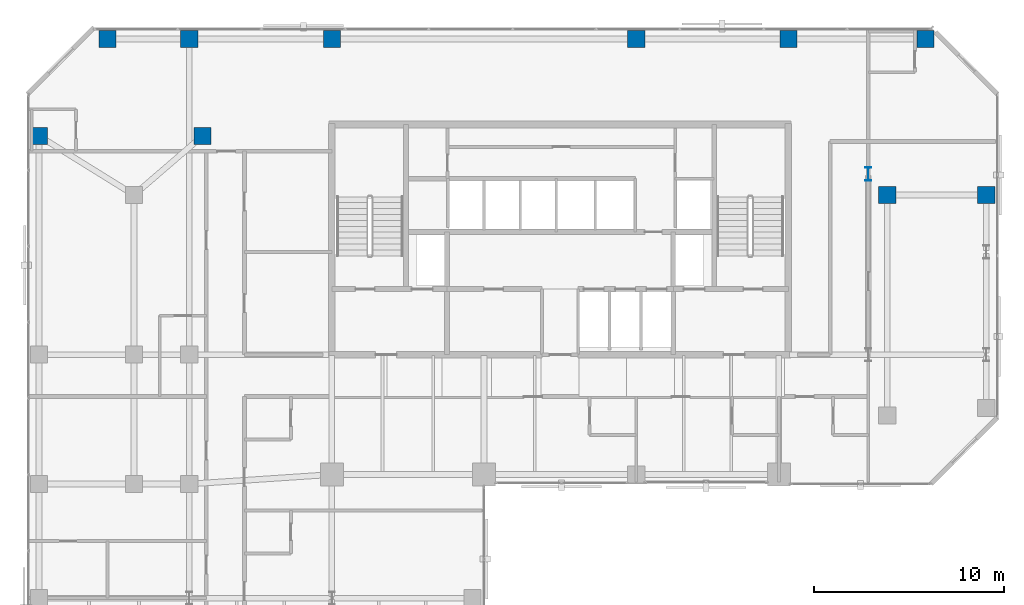
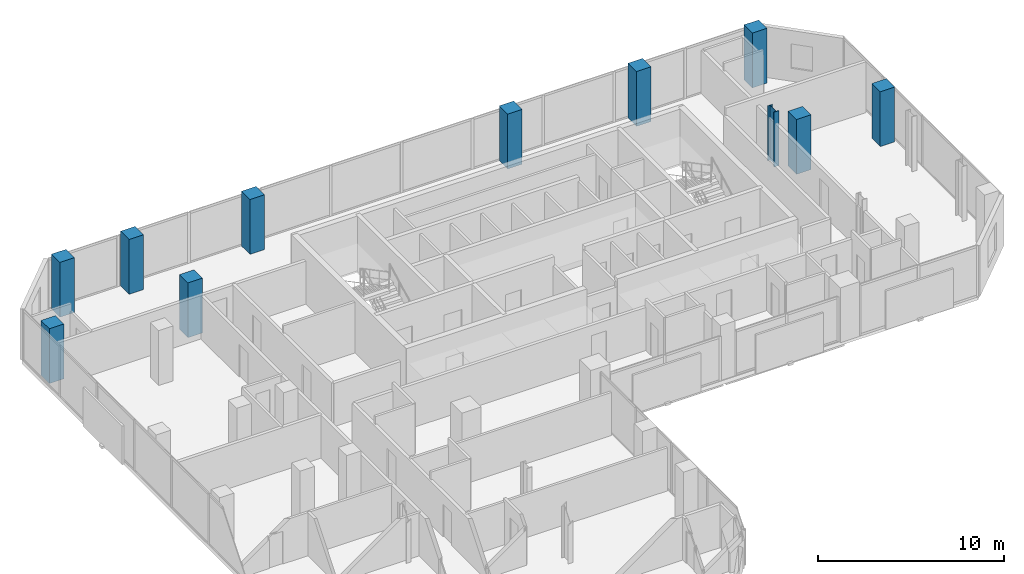
# One storey, part 2 of 34: 11 columns.
"""IFC4 building model written with IfcOpenShell, lengths in metres."""

from ifc_helpers import new_model, si_unit, direction, frame, origin, origin_2d, place, context, subcontext, project, spatial, rectangle, i_section, extrude, material, material_profile, profile_set, type_object, element, save


model = new_model("IFC4")

# Units and contexts
model_context = context("Model", 3, precision=1e-05, world=origin(), true_north=direction((0.0, 1.0)))
body_context = subcontext(model_context, "Body", "Model", "MODEL_VIEW")
ifc_project = project(units=[si_unit("LENGTHUNIT", "METRE"), si_unit("AREAUNIT", "SQUARE_METRE"), si_unit("VOLUMEUNIT", "CUBIC_METRE"), si_unit("PLANEANGLEUNIT", "RADIAN"), si_unit("MASSUNIT", "GRAM", prefix="KILO")], contexts=[model_context])

# Site, building, storey
site_placement = place(None, origin())
site = spatial("IfcSite", under=ifc_project, at=site_placement, CompositionType="ELEMENT")
building_placement = place(site_placement, origin())
building = spatial("IfcBuilding", under=site, at=building_placement, Name="Catumbela Crestline Tower", CompositionType="ELEMENT")
storey_placement = place(building_placement, frame((0.0, 0.0, 97.2)))
storey = spatial("IfcBuildingStorey", under=building, at=storey_placement, Name="L24", CompositionType="ELEMENT", Elevation=97.2)

# Columns
ifc_material_1 = material(Name="Concrete C50/60", Category="concrete")
ifc_material_profile_1 = material_profile(ifc_material_1, rectangle(XDim=0.9, YDim=0.9, at=origin_2d()), Name="RC 900x900")
ifc_profile_set_1 = profile_set([ifc_material_profile_1], Name="Concrete C50/60")
column_type_1 = type_object("IfcColumnType", Name="C-RC900-C50", PredefinedType="COLUMN", material=ifc_profile_set_1)
for number, where, z_axis, x_axis, name in (
    (1, (9.2, 42.3, 0.0), (0.0, 0.0, 1.0), (1.0, 0.0, 0.0), "L24 Column C-08-43 (RC 900x900)"),
    (2, (45.2, 39.2, 0.0), (0.0, 0.0, 1.0), (1.0, 0.0, 0.0), "L24 Column C-46-43 (RC 900x900)"),
    (3, (0.6, 42.3, 0.0), (0.0, 0.0, 1.0), (1.0, 0.0, 0.0), "L24 Column C-00-43 (RC 900x900)"),
    (4, (4.2, 47.4, 0.0), (0.0, 0.0, 1.0), (1.0, 0.0, 0.0), "L24 Column C-00-48 (RC 900x900)"),
    (5, (8.5, 47.4, 0.0), (0.0, 0.0, 1.0), (1.0, 0.0, 0.0), "L24 Column C-08-48 (RC 900x900)"),
    (6, (16.0, 47.4, 0.0), (0.0, 0.0, 1.0), (1.0, 0.0, 0.0), "L24 Column C-16-48 (RC 900x900)"),
    (7, (32.0, 47.4, 0.0), (0.0, 0.0, 1.0), (1.0, 0.0, 0.0), "L24 Column C-32-48 (RC 900x900)"),
    (8, (40.0, 47.4, 0.0), (0.0, 0.0, 1.0), (1.0, 0.0, 0.0), "L24 Column C-40-48 (RC 900x900)"),
    (9, (47.2, 47.4, 0.0), (0.0, 0.0, 1.0), (1.0, 0.0, 0.0), "L24 Column C-48-48 (RC 900x900)"),
    (10, (50.4, 39.2, 0.0), (0.0, 0.0, 1.0), (1.0, 0.0, 0.0), "L24 Column C-51-43 (RC 900x900)"),
):
    element("IfcColumn", number, at=place(storey_placement, frame(where, z_axis=z_axis, x_axis=x_axis)), inside=storey, type_object=column_type_1, Name=name, PredefinedType="COLUMN", context=body_context, shape_type="SweptSolid", body=[
        extrude(rectangle(XDim=0.9, YDim=0.9, at=origin_2d()), origin(), (0.0, 0.0, 1.0), 3.6),
    ])
ifc_material_2 = material(Name="Structural steel S460M", Category="steel")
ifc_material_profile_2 = material_profile(ifc_material_2, i_section(OverallWidth=0.3, OverallDepth=0.7, WebThickness=0.017, FlangeThickness=0.032, FilletRadius=0.027, at=origin_2d()), Name="HEB 700")
ifc_profile_set_2 = profile_set([ifc_material_profile_2], Name="Structural steel S460M")
column_type_2 = type_object("IfcColumnType", Name="C-ST-HEB700", PredefinedType="COLUMN", material=ifc_profile_set_2)
column_placement = place(storey_placement, frame((44.2, 40.3, 0.0), z_axis=(0.0, 0.0, 1.0), x_axis=(1.0, 0.0, 0.0)))
element("IfcColumn", 11, at=column_placement, inside=storey, type_object=column_type_2, Name="L24 Column CT-46-37 (HEB 700)", PredefinedType="COLUMN", context=body_context, shape_type="SweptSolid", body=[
    extrude(i_section(OverallWidth=0.3, OverallDepth=0.7, WebThickness=0.017, FlangeThickness=0.032, FilletRadius=0.027, at=origin_2d()), origin(), (0.0, 0.0, 1.0), 3.6),
])

save(model, "model.ifc")
